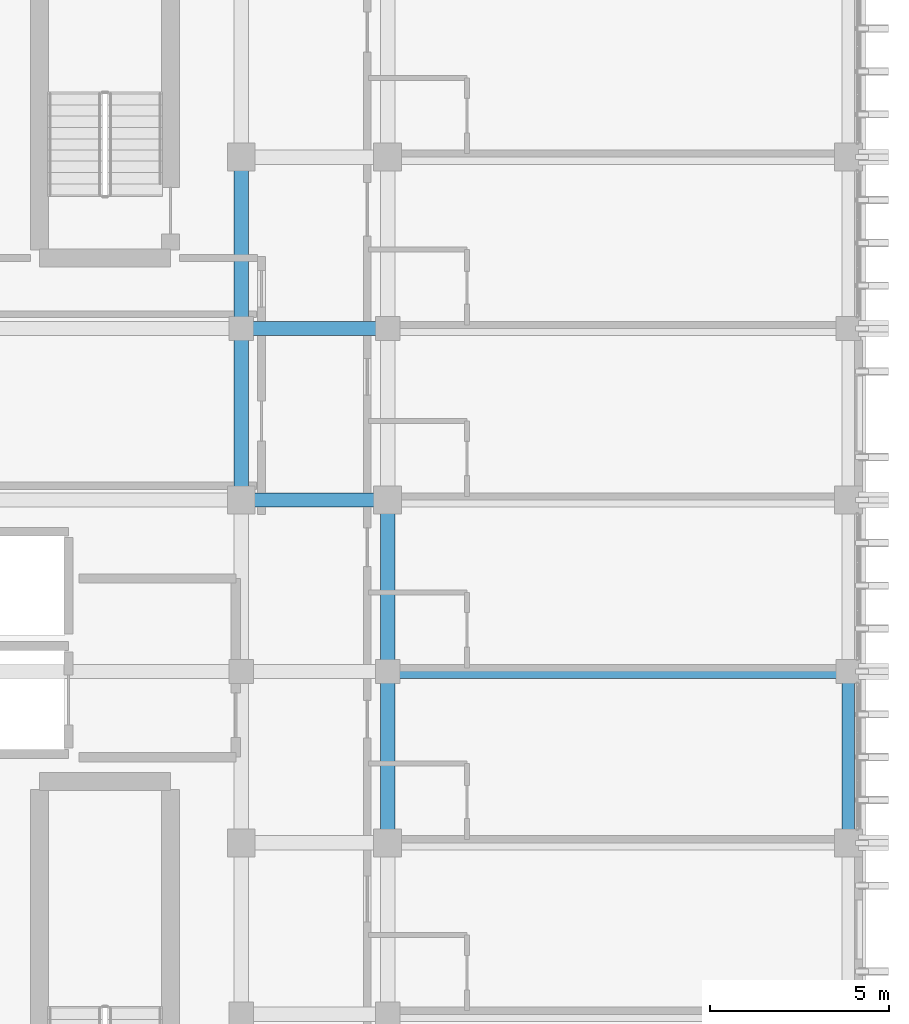
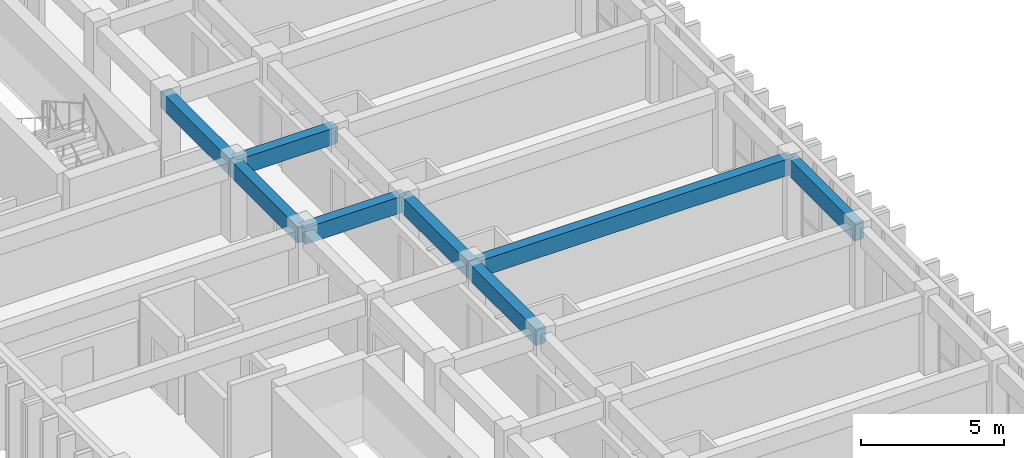
# One storey, part 38 of 68: 8 beams.
"""IFC4 building model written with IfcOpenShell, lengths in metres."""

from ifc_helpers import new_model, si_unit, direction, frame, origin, origin_2d, place, context, subcontext, project, spatial, rectangle, extrude, material, material_profile, profile_set, type_object, element, save


model = new_model("IFC4")

# Units and contexts
model_context = context("Model", 3, precision=1e-05, world=origin(), true_north=direction((0.0, 1.0)))
body_context = subcontext(model_context, "Body", "Model", "MODEL_VIEW")
ifc_project = project(units=[si_unit("LENGTHUNIT", "METRE"), si_unit("AREAUNIT", "SQUARE_METRE"), si_unit("VOLUMEUNIT", "CUBIC_METRE"), si_unit("PLANEANGLEUNIT", "RADIAN"), si_unit("MASSUNIT", "GRAM", prefix="KILO")], contexts=[model_context])

# Site, building, storey
site_placement = place(None, origin())
site = spatial("IfcSite", under=ifc_project, at=site_placement, CompositionType="ELEMENT")
building_placement = place(site_placement, origin())
building = spatial("IfcBuilding", under=site, at=building_placement, Name="Nakhvara Creek Congress Hotel", CompositionType="ELEMENT")
storey_placement = place(building_placement, frame((0.0, 0.0, 24.60009765625)))
storey = spatial("IfcBuildingStorey", under=building, at=storey_placement, Name="L05", CompositionType="ELEMENT", Elevation=24.60009765625)

# Beams
ifc_material = material(Name="Concrete C40/50", Category="concrete")
ifc_material_profile_1 = material_profile(ifc_material, rectangle(XDim=0.39990234375, YDim=0.699951171875, at=origin_2d()), Name="RC-BM 400x700", Category="LoadBearing")
ifc_profile_set_1 = profile_set([ifc_material_profile_1], Name="Concrete C40/50")
beam_type_1 = type_object("IfcBeamType", Name="BM-RC-400X700", PredefinedType="BEAM", material=ifc_profile_set_1)
beam_1_placement = place(storey_placement, frame((162.35009765625, 96.0, 2.989990234375), z_axis=(1.0, 0.0, 0.0), x_axis=(0.0, 1.0, 0.0)))
element("IfcBeam", 1, at=beam_1_placement, inside=storey, type_object=beam_type_1, Name="Beam B05-L05-2107", PredefinedType="BEAM", context=body_context, shape_type="SweptSolid", body=[
    extrude(rectangle(XDim=0.39990234375, YDim=0.699951171875, at=origin_2d()), origin(), (0.0, 0.0, 1.0), 4.099853515625),
])
for number, where, z_axis, x_axis, name in (
    (2, (162.35009765625, 96.0, 2.989990234375), (0.0, 1.0, 0.0), (-1.0, 0.0, 0.0), "Beam B05-L05-2109"),
    (3, (162.35009765625, 100.800048828125, 2.989990234375), (0.0, 1.0, 0.0), (-1.0, 0.0, 0.0), "Beam B05-L05-2111"),
    (4, (166.449951171875, 86.39990234375, 2.989990234375), (0.0, 1.0, 0.0), (-1.0, 0.0, 0.0), "Beam B05-L05-2135"),
    (5, (166.449951171875, 91.199951171875, 2.989990234375), (0.0, 1.0, 0.0), (-1.0, 0.0, 0.0), "Beam B05-L05-2137"),
):
    element("IfcBeam", number, at=place(storey_placement, frame(where, z_axis=z_axis, x_axis=x_axis)), inside=storey, type_object=beam_type_1, Name=name, PredefinedType="BEAM", context=body_context, shape_type="SweptSolid", body=[
        extrude(rectangle(XDim=0.39990234375, YDim=0.699951171875, at=origin_2d()), origin(), (0.0, 0.0, 1.0), 4.800048828125),
    ])
beam_2_placement = place(storey_placement, frame((162.35009765625, 100.800048828125, 2.989990234375), z_axis=(1.0, 0.0, 0.0), x_axis=(0.0, 1.0, 0.0)))
element("IfcBeam", 6, at=beam_2_placement, inside=storey, type_object=beam_type_1, Name="Beam B05-L05-2182", PredefinedType="BEAM", context=body_context, shape_type="SweptSolid", body=[
    extrude(rectangle(XDim=0.39990234375, YDim=0.699951171875, at=origin_2d()), origin(), (0.0, 0.0, 1.0), 4.099853515625),
])
beam_3_placement = place(storey_placement, frame((166.449951171875, 91.199951171875, 2.989990234375), z_axis=(1.0, 0.0, 0.0), x_axis=(0.0, 1.0, 0.0)))
element("IfcBeam", 7, at=beam_3_placement, inside=storey, type_object=beam_type_1, Name="Beam B05-L05-2189", PredefinedType="BEAM", context=body_context, shape_type="SweptSolid", body=[
    extrude(rectangle(XDim=0.39990234375, YDim=0.699951171875, at=origin_2d()), origin(), (0.0, 0.0, 1.0), 12.900146484375),
])
ifc_material_profile_2 = material_profile(ifc_material, rectangle(XDim=0.35009765625, YDim=0.75, at=origin_2d()), Name="RC-SPANDREL 350x750", Category="LoadBearing")
ifc_profile_set_2 = profile_set([ifc_material_profile_2], Name="Concrete C40/50")
beam_type_2 = type_object("IfcBeamType", Name="BM-SPN-350X750", PredefinedType="SPANDREL", material=ifc_profile_set_2)
beam_4_placement = place(storey_placement, frame((179.35009765625, 86.39990234375, 2.96484375), z_axis=(0.0, 1.0, 0.0), x_axis=(-1.0, 0.0, 0.0)))
element("IfcBeam", 8, at=beam_4_placement, inside=storey, type_object=beam_type_2, Name="Beam SP1-L05-2159", PredefinedType="SPANDREL", context=body_context, shape_type="SweptSolid", body=[
    extrude(rectangle(XDim=0.35009765625, YDim=0.75, at=origin_2d()), origin(), (0.0, 0.0, 1.0), 4.800048828125),
])

save(model, "model.ifc")
